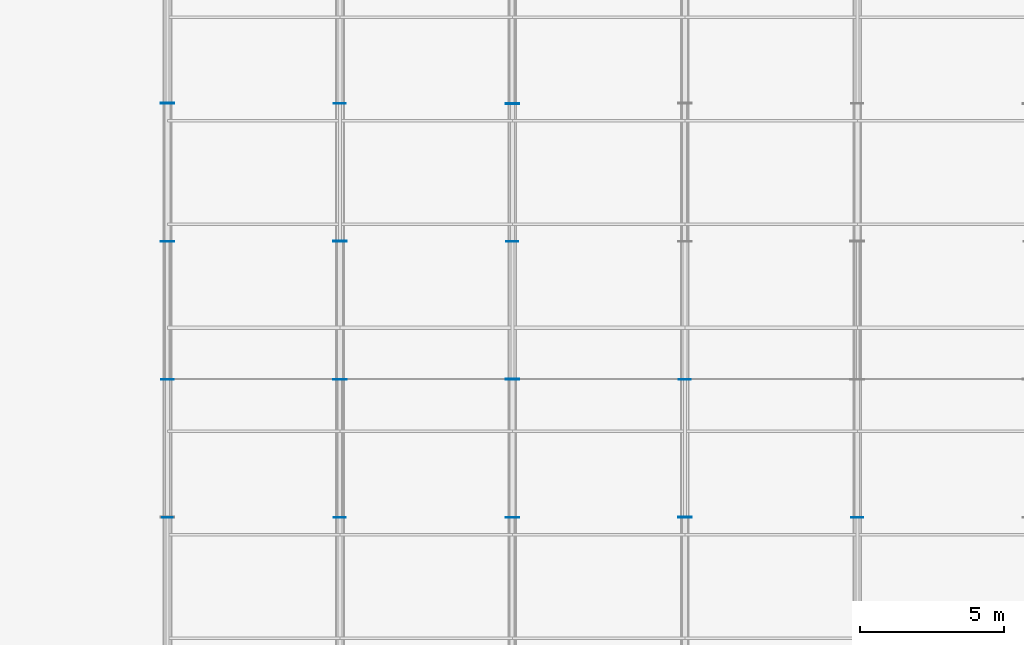
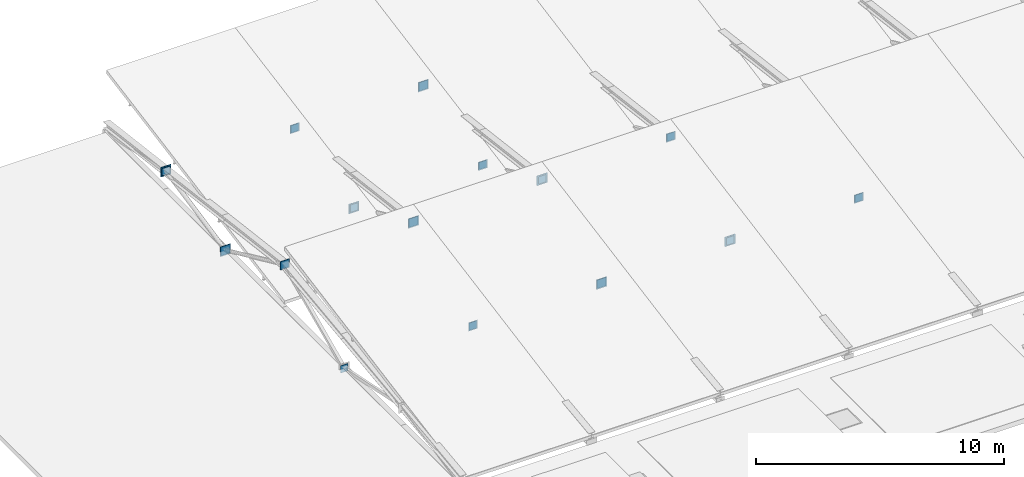
# One storey, part 16 of 32: 29 plates.
"""IFC4 building model written with IfcOpenShell, lengths in metres."""

from ifc_helpers import new_model, si_unit, direction, frame, origin, origin_2d, place, context, subcontext, project, spatial, rectangle, extrude, material, layer, layer_set, type_object, element, save


model = new_model("IFC4")

# Units and contexts
model_context = context("Model", 3, precision=1e-05, world=origin(), true_north=direction((0.0, 1.0)))
body_context = subcontext(model_context, "Body", "Model", "MODEL_VIEW")
ifc_project = project(units=[si_unit("LENGTHUNIT", "METRE"), si_unit("AREAUNIT", "SQUARE_METRE"), si_unit("VOLUMEUNIT", "CUBIC_METRE"), si_unit("PLANEANGLEUNIT", "RADIAN"), si_unit("MASSUNIT", "GRAM", prefix="KILO")], contexts=[model_context])

# Site, building, storey
site_placement = place(None, origin())
site = spatial("IfcSite", under=ifc_project, at=site_placement, CompositionType="ELEMENT")
building_placement = place(site_placement, origin())
building = spatial("IfcBuilding", under=site, at=building_placement, Name="Brisavento Harbour Community Centre", CompositionType="ELEMENT")
storey_placement = place(building_placement, frame((0.0, 0.0, 12.89990234375)))
storey = spatial("IfcBuildingStorey", under=building, at=storey_placement, Name="L03", CompositionType="ELEMENT", Elevation=12.89990234375)

# Plates
ifc_material = material(Name="Steel S355", Category="steel")
ifc_layer_1 = layer(ifc_material, 0.01611328125, Name="Steel S355")
ifc_layer_set_1 = layer_set([ifc_layer_1], Name="Steel S355")
plate_type_1 = type_object("IfcPlateType", Name="PLT-GUS-1", PredefinedType="USERDEFINED", material=ifc_layer_set_1)
for number, where, z_axis, x_axis, name in (
    (1, (129.60009765625, 95.996337890625, -0.181640625), (0.0, 0.0, 1.0), (0.0, 1.0, 0.0), "V4-TR1-DG3 hollow-end cap plate 1"),
    (2, (129.60009765625, 100.8037109375, 2.021484375), (0.0, 0.0, 1.0), (0.0, 1.0, 0.0), "V4-TR1-DG3 hollow-end cap plate 2"),
    (3, (129.60009765625, 110.39599609375, 0.82080078125), (0.0, 0.0, 1.0), (0.0, 1.0, 0.0), "V4-TR1-DG6 hollow-end cap plate 1"),
    (4, (135.60009765625, 96.00390625, -0.1806640625), (0.0, 0.0, 1.0), (0.0, 1.0, 0.0), "V4-TR2-DG2 hollow-end cap plate 2"),
    (5, (135.60009765625, 105.59619140625, -0.1806640625), (0.0, 0.0, 1.0), (0.0, 1.0, 0.0), "V4-TR2-DG5 hollow-end cap plate 1"),
    (6, (135.60009765625, 110.40380859375, 0.82080078125), (0.0, 0.0, 1.0), (0.0, 1.0, 0.0), "V4-TR2-DG5 hollow-end cap plate 2"),
    (7, (141.60009765625, 100.79638671875, 2.021484375), (0.0, 0.0, 1.0), (0.0, 1.0, 0.0), "V4-TR3-DG4 hollow-end cap plate 1"),
    (8, (141.60009765625, 105.603759765625, -0.181640625), (0.0, 0.0, 1.0), (0.0, 1.0, 0.0), "V4-TR3-DG4 hollow-end cap plate 2"),
    (9, (147.60009765625, 95.996337890625, -0.181640625), (0.0, 0.0, 1.0), (0.0, 1.0, 0.0), "V4-TR4-DG3 hollow-end cap plate 1"),
    (10, (147.60009765625, 100.8037109375, 2.021484375), (0.0, 0.0, 1.0), (0.0, 1.0, 0.0), "V4-TR4-DG3 hollow-end cap plate 2"),
    (11, (153.60009765625, 96.00390625, -0.1806640625), (0.0, 0.0, 1.0), (0.0, 1.0, 0.0), "V4-TR5-DG2 hollow-end cap plate 2"),
):
    element("IfcPlate", number, at=place(storey_placement, frame(where, z_axis=z_axis, x_axis=x_axis)), inside=storey, type_object=plate_type_1, Name=name, ObjectType="GUSSET PLATE", PredefinedType="USERDEFINED", context=body_context, shape_type="SweptSolid", body=[
        extrude(rectangle(XDim=0.01611328125, YDim=0.360107421875, at=origin_2d()), origin(), (0.0, 0.0, 1.0), 0.360107421875),
    ])
ifc_layer_2 = layer(ifc_material, 0.02001953125, Name="Steel S355")
ifc_layer_set_2 = layer_set([ifc_layer_2], Name="Steel S355")
plate_type_2 = type_object("IfcPlateType", Name="PLT-GUS-2", PredefinedType="USERDEFINED", material=ifc_layer_set_2)
for number, where, z_axis, x_axis, name in (
    (12, (129.60009765625, 100.79541015625, 1.9921875), (0.0, 0.0, 1.0), (0.0, 1.0, 0.0), "V4-TR1-DG4 hollow-end cap plate 1"),
    (13, (129.60009765625, 105.6044921875, -0.2119140625), (0.0, 0.0, 1.0), (0.0, 1.0, 0.0), "V4-TR1-DG4 hollow-end cap plate 2"),
    (14, (135.60009765625, 95.995361328125, -0.2119140625), (0.0, 0.0, 1.0), (0.0, 1.0, 0.0), "V4-TR2-DG3 hollow-end cap plate 1"),
    (15, (135.60009765625, 100.804443359375, 1.9921875), (0.0, 0.0, 1.0), (0.0, 1.0, 0.0), "V4-TR2-DG3 hollow-end cap plate 2"),
    (16, (135.60009765625, 110.39501953125, 0.791259765625), (0.0, 0.0, 1.0), (0.0, 1.0, 0.0), "V4-TR2-DG6 hollow-end cap plate 1"),
    (17, (141.60009765625, 96.0048828125, -0.2109375), (0.0, 0.0, 1.0), (0.0, 1.0, 0.0), "V4-TR3-DG2 hollow-end cap plate 2"),
    (18, (141.60009765625, 105.59521484375, -0.2109375), (0.0, 0.0, 1.0), (0.0, 1.0, 0.0), "V4-TR3-DG5 hollow-end cap plate 1"),
    (19, (141.60009765625, 110.40478515625, 0.791259765625), (0.0, 0.0, 1.0), (0.0, 1.0, 0.0), "V4-TR3-DG5 hollow-end cap plate 2"),
    (20, (147.60009765625, 100.79541015625, 1.9921875), (0.0, 0.0, 1.0), (0.0, 1.0, 0.0), "V4-TR4-DG4 hollow-end cap plate 1"),
    (21, (153.60009765625, 95.995361328125, -0.2119140625), (0.0, 0.0, 1.0), (0.0, 1.0, 0.0), "V4-TR5-DG3 hollow-end cap plate 1"),
):
    element("IfcPlate", number, at=place(storey_placement, frame(where, z_axis=z_axis, x_axis=x_axis)), inside=storey, type_object=plate_type_2, Name=name, ObjectType="GUSSET PLATE", PredefinedType="USERDEFINED", context=body_context, shape_type="SweptSolid", body=[
        extrude(rectangle(XDim=0.02001953125, YDim=0.419921875, at=origin_2d()), origin(), (0.0, 0.0, 1.0), 0.419921875),
    ])
ifc_layer_3 = layer(ifc_material, 0.02392578125, Name="Steel S355")
ifc_layer_set_3 = layer_set([ifc_layer_3], Name="Steel S355")
plate_type_3 = type_object("IfcPlateType", Name="PLT-GUS-3", PredefinedType="USERDEFINED", material=ifc_layer_set_3)
for number, where, z_axis, x_axis, name in (
    (22, (129.60009765625, 105.59423828125, -0.2412109375), (0.0, 0.0, 1.0), (0.0, 1.0, 0.0), "V4-TR1-DG5 hollow-end cap plate 1"),
    (23, (129.60009765625, 110.40576171875, 0.76123046875), (0.0, 0.0, 1.0), (0.0, 1.0, 0.0), "V4-TR1-DG5 hollow-end cap plate 2"),
    (24, (135.60009765625, 100.79443359375, 1.962646484375), (0.0, 0.0, 1.0), (0.0, 1.0, 0.0), "V4-TR2-DG4 hollow-end cap plate 1"),
    (25, (135.60009765625, 105.60546875, -0.242431640625), (0.0, 0.0, 1.0), (0.0, 1.0, 0.0), "V4-TR2-DG4 hollow-end cap plate 2"),
    (26, (141.60009765625, 95.99462890625, -0.242431640625), (0.0, 0.0, 1.0), (0.0, 1.0, 0.0), "V4-TR3-DG3 hollow-end cap plate 1"),
    (27, (141.60009765625, 100.805419921875, 1.962646484375), (0.0, 0.0, 1.0), (0.0, 1.0, 0.0), "V4-TR3-DG3 hollow-end cap plate 2"),
    (28, (141.60009765625, 110.39404296875, 0.76123046875), (0.0, 0.0, 1.0), (0.0, 1.0, 0.0), "V4-TR3-DG6 hollow-end cap plate 1"),
    (29, (147.60009765625, 96.005859375, -0.2412109375), (0.0, 0.0, 1.0), (0.0, 1.0, 0.0), "V4-TR4-DG2 hollow-end cap plate 2"),
):
    element("IfcPlate", number, at=place(storey_placement, frame(where, z_axis=z_axis, x_axis=x_axis)), inside=storey, type_object=plate_type_3, Name=name, ObjectType="GUSSET PLATE", PredefinedType="USERDEFINED", context=body_context, shape_type="SweptSolid", body=[
        extrude(rectangle(XDim=0.02392578125, YDim=0.47998046875, at=origin_2d()), origin(), (0.0, 0.0, 1.0), 0.47998046875),
    ])

save(model, "model.ifc")
